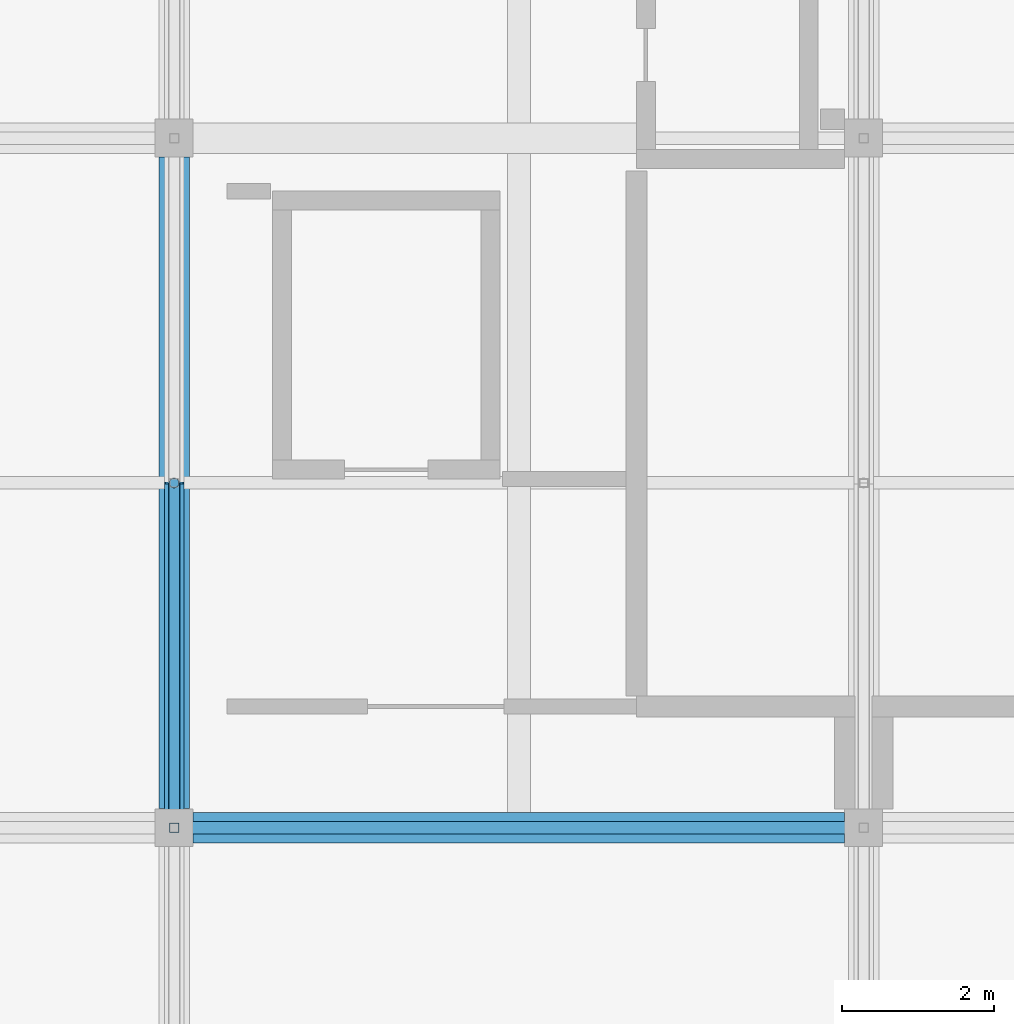
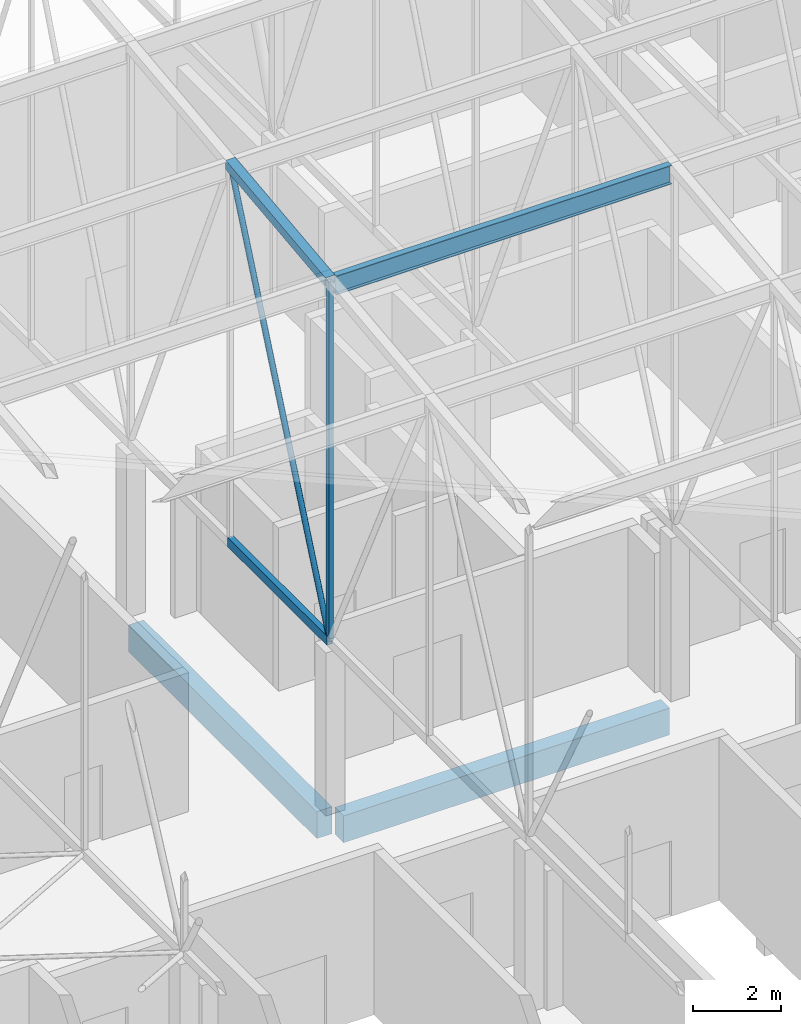
# One storey, part 25 of 500: 5 members, 2 beams.
"""IFC4 building model written with IfcOpenShell, lengths in metres."""

from ifc_helpers import new_model, si_unit, direction, frame, origin, origin_2d, place, context, subcontext, project, spatial, rectangle, hollow_rectangle, hollow_circle, i_section, extrude, material, material_profile, profile_set, type_object, element, save


model = new_model("IFC4")

# Units and contexts
model_context = context("Model", 3, precision=1e-05, world=origin(), true_north=direction((0.0, 1.0)))
body_context = subcontext(model_context, "Body", "Model", "MODEL_VIEW")
ifc_project = project(units=[si_unit("LENGTHUNIT", "METRE"), si_unit("AREAUNIT", "SQUARE_METRE"), si_unit("VOLUMEUNIT", "CUBIC_METRE"), si_unit("PLANEANGLEUNIT", "RADIAN"), si_unit("MASSUNIT", "GRAM", prefix="KILO")], contexts=[model_context])

# Site, building, storey
site_placement = place(None, origin())
site = spatial("IfcSite", under=ifc_project, at=site_placement, CompositionType="ELEMENT")
building_placement = place(site_placement, origin())
building = spatial("IfcBuilding", under=site, at=building_placement, Name="Shirokan Park Arena", CompositionType="ELEMENT")
storey_placement = place(building_placement, frame((0.0, 0.0, 29.1201171875)))
storey = spatial("IfcBuildingStorey", under=building, at=storey_placement, Name="L06", CompositionType="ELEMENT", Elevation=29.1201171875)

# Members
ifc_material_1 = material(Name="Steel ASTM A500 Grade C", Category="steel")
ifc_material_profile_1 = material_profile(ifc_material_1, hollow_rectangle(XDim=0.152099609375, YDim=0.25390625, WallThickness=0.009521484375, at=origin_2d()), Name="HSS254X152.4X9.5")
ifc_profile_set_1 = profile_set([ifc_material_profile_1], Name="Steel ASTM A500 Grade C")
member_type_1 = type_object("IfcMemberType", Name="Bottom chord HSS254X152.4X9.5", PredefinedType="CHORD", material=ifc_profile_set_1)
member_1_placement = place(storey_placement, frame((18.199951171875, 18.199951171875, 4.677001953125), z_axis=(0.0, 1.0, 0.0), x_axis=(-1.0, 0.0, 0.0)))
element("IfcMember", 1, at=member_1_placement, inside=storey, type_object=member_type_1, Name="Truss T03 bottom chord 7", PredefinedType="CHORD", context=body_context, shape_type="SweptSolid", body=[
    extrude(hollow_rectangle(XDim=0.152099609375, YDim=0.25390625, WallThickness=0.009521484375, at=origin_2d()), origin(), (0.0, 0.0, 1.0), 4.550048828125),
])
ifc_material_2 = material(Name="Steel ASTM A992", Category="steel")
ifc_material_profile_2 = material_profile(ifc_material_2, i_section(OverallWidth=0.166015625, OverallDepth=0.528076171875, WebThickness=0.009765625, FlangeThickness=0.013671875, at=origin_2d()), Name="W530X74")
ifc_profile_set_2 = profile_set([ifc_material_profile_2], Name="Steel ASTM A992")
member_type_2 = type_object("IfcMemberType", Name="Purlin W530X74", PredefinedType="PURLIN", material=ifc_profile_set_2)
member_2_placement = place(storey_placement, frame((18.326904296875, 18.199951171875, 14.56591796875), z_axis=(1.0, 0.0, 0.0), x_axis=(0.0, 1.0, 0.0)))
element("IfcMember", 2, at=member_2_placement, inside=storey, type_object=member_type_2, Name="Purlin 7 bay 3", PredefinedType="PURLIN", context=body_context, shape_type="SweptSolid", body=[
    extrude(i_section(OverallWidth=0.166015625, OverallDepth=0.528076171875, WebThickness=0.009765625, FlangeThickness=0.013671875, at=origin_2d()), origin(), (0.0, 0.0, 1.0), 8.84619140625),
])

# Beams
ifc_material_3 = material(Name="Concrete C35", Category="concrete")
ifc_material_profile_3 = material_profile(ifc_material_3, rectangle(XDim=0.39990234375, YDim=0.75, at=origin_2d()), Name="400x750")
ifc_profile_set_3 = profile_set([ifc_material_profile_3], Name="Concrete C35")
beam_type = type_object("IfcBeamType", Name="RC girder 400x750", PredefinedType="BEAM", material=ifc_profile_set_3)
for number, where, z_axis, x_axis, name in (
    (3, (18.4501953125, 18.199951171875, -0.5751953125), (1.0, 0.0, 0.0), (0.0, 1.0, 0.0), "Girder 3C-4C L06"),
    (4, (18.199951171875, 18.4501953125, -0.5751953125), (0.0, 1.0, 0.0), (-1.0, 0.0, 0.0), "Girder 3C-3D L06"),
):
    element("IfcBeam", number, at=place(storey_placement, frame(where, z_axis=z_axis, x_axis=x_axis)), inside=storey, type_object=beam_type, Name=name, PredefinedType="BEAM", context=body_context, shape_type="SweptSolid", body=[
        extrude(rectangle(XDim=0.39990234375, YDim=0.75, at=origin_2d()), origin(), (0.0, 0.0, 1.0), 8.599609375),
    ])

# Members
ifc_material_profile_4 = material_profile(ifc_material_1, hollow_rectangle(XDim=0.25390625, YDim=0.25390625, WallThickness=0.009521484375, at=origin_2d()), Name="HSS254X254X9.5")
ifc_profile_set_4 = profile_set([ifc_material_profile_4], Name="Steel ASTM A500 Grade C")
member_type_3 = type_object("IfcMemberType", Name="Top chord HSS254X254X9.5", PredefinedType="CHORD", material=ifc_profile_set_4)
member_3_placement = place(storey_placement, frame((18.199951171875, 18.199951171875, 14.702880859375), z_axis=(0.0, 0.993532328996, 0.113549598152), x_axis=(-1.0, 0.0, 0.0)))
element("IfcMember", 5, at=member_3_placement, inside=storey, type_object=member_type_3, Name="Truss T03 top chord 7", PredefinedType="CHORD", context=body_context, shape_type="SweptSolid", body=[
    extrude(hollow_rectangle(XDim=0.25390625, YDim=0.25390625, WallThickness=0.009521484375, at=origin_2d()), origin(), (0.0, 0.0, 1.0), 4.57958984375),
])
ifc_material_profile_5 = material_profile(ifc_material_1, hollow_circle(Radius=0.070556640625, WallThickness=0.006591796875, at=origin_2d()), Name="HSS141.3X6.6")
ifc_profile_set_5 = profile_set([ifc_material_profile_5], Name="Steel ASTM A500 Grade C")
member_type_4 = type_object("IfcMemberType", Name="Truss diagonal HSS141.3X6.6", PredefinedType="BRACE", material=ifc_profile_set_5)
member_4_placement = place(storey_placement, frame((18.199951171875, 18.199951171875, 4.677001953125), z_axis=(0.0, 0.396152605513, 0.918184683572), x_axis=(-1.0, 0.0, 0.0)))
element("IfcMember", 6, at=member_4_placement, inside=storey, type_object=member_type_4, Name="Truss T03 diagonal 7", PredefinedType="BRACE", context=body_context, shape_type="SweptSolid", body=[
    extrude(hollow_circle(Radius=0.070556640625, WallThickness=0.006591796875, at=origin_2d()), origin(), (0.0, 0.0, 1.0), 11.485595703125),
])
ifc_material_profile_6 = material_profile(ifc_material_1, hollow_rectangle(XDim=0.126953125, YDim=0.126953125, WallThickness=0.008056640625, at=origin_2d()), Name="HSS127X127X7.9")
ifc_profile_set_6 = profile_set([ifc_material_profile_6], Name="Steel ASTM A500 Grade C")
member_type_5 = type_object("IfcMemberType", Name="Truss post HSS127X127X7.9", PredefinedType="POST", material=ifc_profile_set_6)
member_5_placement = place(storey_placement, frame((18.199951171875, 18.199951171875, 4.677001953125), z_axis=(0.0, 0.0, 1.0), x_axis=(1.0, 0.0, 0.0)))
element("IfcMember", 7, at=member_5_placement, inside=storey, type_object=member_type_5, Name="Truss T03 post 7", PredefinedType="POST", context=body_context, shape_type="SweptSolid", body=[
    extrude(hollow_rectangle(XDim=0.126953125, YDim=0.126953125, WallThickness=0.008056640625, at=origin_2d()), origin(), (0.0, 0.0, 1.0), 10.02587890625),
])

save(model, "model.ifc")
